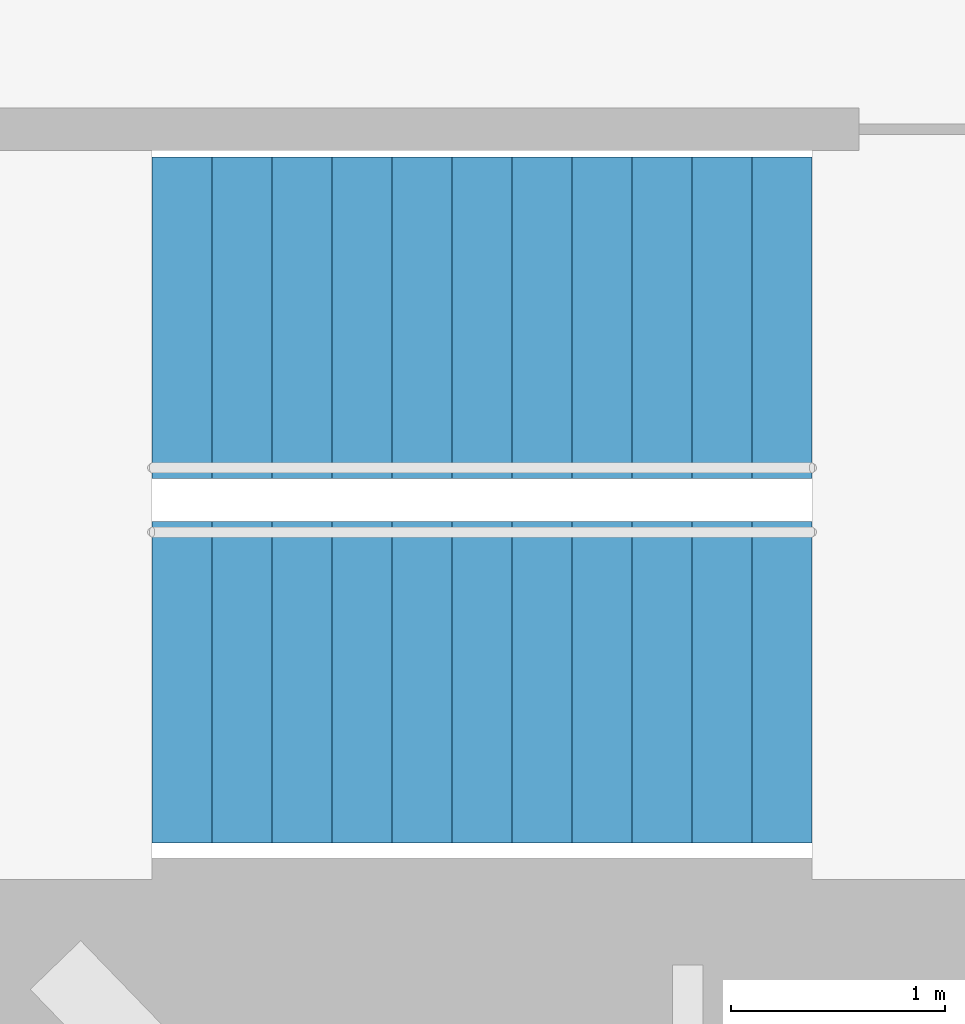
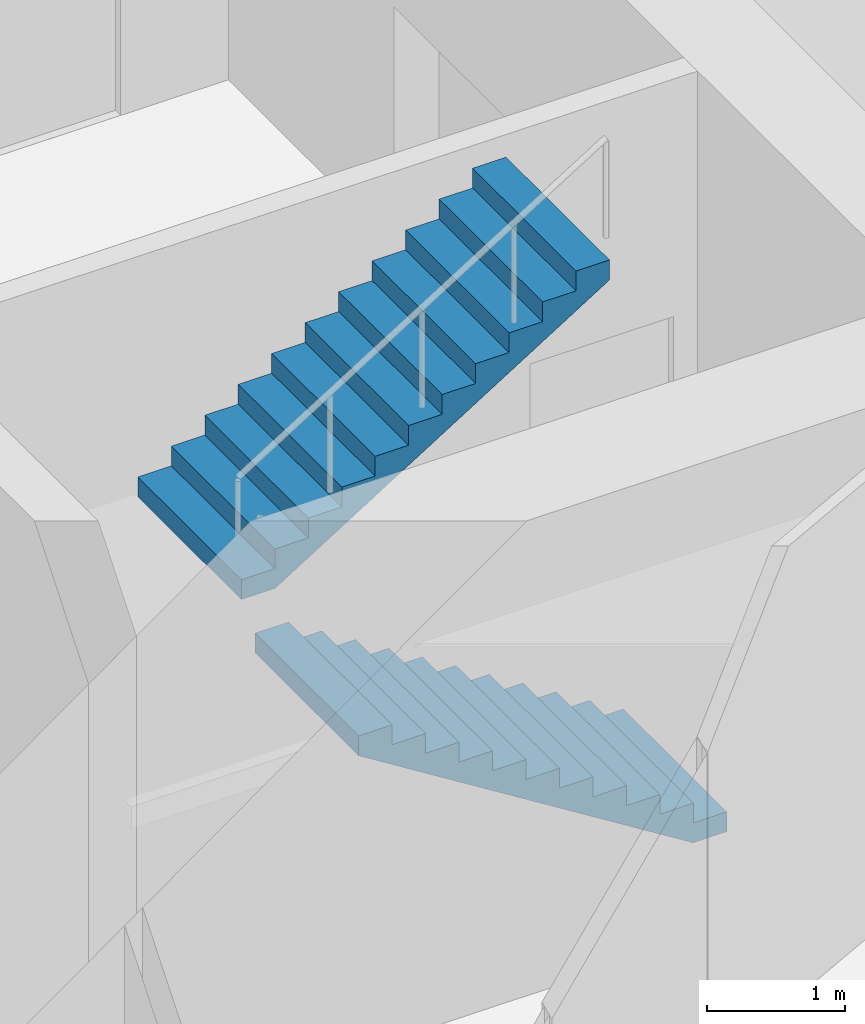
# One storey, part 16 of 17: 2 stair flights, 1 element without a shape of its own.
"""IFC4 building model written with IfcOpenShell, lengths in metres."""

from ifc_helpers import new_model, si_unit, direction, frame, origin, place, context, subcontext, project, spatial, triangles, material, type_object, element, aggregate, save


model = new_model("IFC4")

# Units and contexts
model_context = context("Model", 3, precision=1e-05, world=origin(), true_north=direction((0.0, 1.0)))
body_context = subcontext(model_context, "Body", "Model", "MODEL_VIEW")
ifc_project = project(units=[si_unit("LENGTHUNIT", "METRE"), si_unit("AREAUNIT", "SQUARE_METRE"), si_unit("VOLUMEUNIT", "CUBIC_METRE"), si_unit("PLANEANGLEUNIT", "RADIAN"), si_unit("MASSUNIT", "GRAM", prefix="KILO")], contexts=[model_context])

# Site, building, storey
site_placement = place(None, origin())
site = spatial("IfcSite", under=ifc_project, at=site_placement, CompositionType="ELEMENT")
building_placement = place(site_placement, origin())
building = spatial("IfcBuilding", under=site, at=building_placement, Name="Lantaw Convention Tower", CompositionType="ELEMENT")
storey_placement = place(building_placement, frame((0.0, 0.0, 211.60009765625)))
storey = spatial("IfcBuildingStorey", under=building, at=storey_placement, Name="L49", CompositionType="ELEMENT", Elevation=211.60009765625)

# Stair, stair flights
ifc_material = material(Name="Concrete C35/45", Category="concrete")
stair_type = type_object("IfcStairType", Name="Exit stair 1500 riser 175 in 2 flights", PredefinedType="HALF_TURN_STAIR", material=ifc_material)
stair_placement = place(storey_placement, origin())
stair = element("IfcStair", 1, at=stair_placement, inside=storey, type_object=stair_type, Name="Exit stair S2 L49", PredefinedType="HALF_TURN_STAIR")
stair_flight_type = type_object("IfcStairFlightType", Name="Stair flight 1500 riser 175", PredefinedType="STRAIGHT", material=ifc_material)
stair_flight_1_placement = place(storey_placement, frame((10.580078125, -5.97998046875, 0.0), z_axis=(0.0, 0.0, 1.0), x_axis=(-1.0, 0.0, 0.0)))
stair_flight_1 = element("IfcStairFlight", 2, at=stair_flight_1_placement, type_object=stair_flight_type, Name="S2 flight 1", NumberOfRisers=12, NumberOfTreads=11, PredefinedType="STRAIGHT", RiserHeight=0.175, TreadLength=0.28, context=body_context, shape_type="Tessellation", body=[
    triangles([(0.0, 0.75, 0.0), (0.0, 0.75, 0.175), (0.28, 0.75, 0.0), (0.28, 0.75, 0.175), (0.28, 0.75, 0.35), (0.28283517651771284, 0.75, 0.0), (0.28283517651771284, 0.75, 0.35), (0.56, 0.75, 0.17322801467642948), (0.56, 0.75, 0.35), (0.56, 0.75, 0.5249999999999999), (0.8400000000000001, 0.75, 0.34822801467642944), (0.8400000000000001, 0.75, 0.5249999999999999), (0.8400000000000001, 0.75, 0.7), (1.12, 0.75, 0.5232280146764294), (1.12, 0.75, 0.7), (1.12, 0.75, 0.875), (1.4000000000000001, 0.75, 0.6982280146764295), (1.4000000000000001, 0.75, 0.875), (1.4000000000000001, 0.75, 1.0499999999999998), (1.6800000000000002, 0.75, 0.8732280146764294), (1.6800000000000002, 0.75, 1.0499999999999998), (1.6800000000000002, 0.75, 1.2249999999999999), (1.9600000000000002, 0.75, 1.0482280146764293), (1.9600000000000002, 0.75, 1.2249999999999999), (1.9600000000000002, 0.75, 1.4), (2.24, 0.75, 1.2232280146764294), (2.24, 0.75, 1.4), (2.24, 0.75, 1.575), (2.5200000000000005, 0.75, 1.3982280146764294), (2.5200000000000005, 0.75, 1.575), (2.5200000000000005, 0.75, 1.75), (2.8000000000000003, 0.75, 1.5732280146764293), (2.8000000000000003, 0.75, 1.75), (2.8000000000000003, 0.75, 1.9249999999999998), (3.08, 0.75, 1.7482280146764293), (3.08, 0.75, 1.9249999999999998), (0.0, -0.75, 0.0), (0.0, -0.75, 0.175), (0.28, -0.75, 0.0), (0.28, -0.75, 0.175), (0.28, -0.75, 0.35), (0.28283517651771284, -0.75, 0.0), (0.28283517651771284, -0.75, 0.35), (0.56, -0.75, 0.17322801467642948), (0.56, -0.75, 0.35), (0.56, -0.75, 0.5249999999999999), (0.8400000000000001, -0.75, 0.34822801467642944), (0.8400000000000001, -0.75, 0.5249999999999999), (0.8400000000000001, -0.75, 0.7), (1.12, -0.75, 0.5232280146764294), (1.12, -0.75, 0.7), (1.12, -0.75, 0.875), (1.4000000000000001, -0.75, 0.6982280146764295), (1.4000000000000001, -0.75, 0.875), (1.4000000000000001, -0.75, 1.0499999999999998), (1.6800000000000002, -0.75, 0.8732280146764294), (1.6800000000000002, -0.75, 1.0499999999999998), (1.6800000000000002, -0.75, 1.2249999999999999), (1.9600000000000002, -0.75, 1.0482280146764293), (1.9600000000000002, -0.75, 1.2249999999999999), (1.9600000000000002, -0.75, 1.4), (2.24, -0.75, 1.2232280146764294), (2.24, -0.75, 1.4), (2.24, -0.75, 1.575), (2.5200000000000005, -0.75, 1.3982280146764294), (2.5200000000000005, -0.75, 1.575), (2.5200000000000005, -0.75, 1.75), (2.8000000000000003, -0.75, 1.5732280146764293), (2.8000000000000003, -0.75, 1.75), (2.8000000000000003, -0.75, 1.9249999999999998), (3.08, -0.75, 1.7482280146764293), (3.08, -0.75, 1.9249999999999998), (0.0, 0.15000000000000002, 0.175), (0.0, 0.15000000000000002, 0.0), (0.0, 0.0, 0.175), (0.0, 0.0, 0.0), (0.0, -0.15000000000000002, 0.175), (0.0, -0.15000000000000002, 0.0), (0.28, 0.15000000000000002, 0.35), (0.28, 0.15000000000000002, 0.175), (0.28, 0.0, 0.35), (0.28, 0.0, 0.175), (0.28, -0.15000000000000002, 0.35), (0.28, -0.15000000000000002, 0.175), (0.56, 0.15000000000000002, 0.5249999999999999), (0.56, 0.15000000000000002, 0.35), (0.56, 0.0, 0.5249999999999999), (0.56, 0.0, 0.35), (0.56, -0.15000000000000002, 0.5249999999999999), (0.56, -0.15000000000000002, 0.35), (0.8400000000000001, 0.15000000000000002, 0.7), (0.8400000000000001, 0.15000000000000002, 0.5249999999999999), (0.8400000000000001, 0.0, 0.7), (0.8400000000000001, 0.0, 0.5249999999999999), (0.8400000000000001, -0.15000000000000002, 0.7), (0.8400000000000001, -0.15000000000000002, 0.5249999999999999), (1.12, 0.15000000000000002, 0.875), (1.12, 0.15000000000000002, 0.7), (1.12, 0.0, 0.875), (1.12, 0.0, 0.7), (1.12, -0.15000000000000002, 0.875), (1.12, -0.15000000000000002, 0.7), (1.4000000000000001, 0.15000000000000002, 1.0499999999999998), (1.4000000000000001, 0.15000000000000002, 0.875), (1.4000000000000001, 0.0, 1.0499999999999998), (1.4000000000000001, 0.0, 0.875), (1.4000000000000001, -0.15000000000000002, 1.0499999999999998), (1.4000000000000001, -0.15000000000000002, 0.875), (1.6800000000000002, 0.15000000000000002, 1.2249999999999999), (1.6800000000000002, 0.15000000000000002, 1.0499999999999998), (1.6800000000000002, 0.0, 1.2249999999999999), (1.6800000000000002, 0.0, 1.0499999999999998), (1.6800000000000002, -0.15000000000000002, 1.2249999999999999), (1.6800000000000002, -0.15000000000000002, 1.0499999999999998), (1.9600000000000002, 0.15000000000000002, 1.4), (1.9600000000000002, 0.15000000000000002, 1.2249999999999999), (1.9600000000000002, 0.0, 1.4), (1.9600000000000002, 0.0, 1.2249999999999999), (1.9600000000000002, -0.15000000000000002, 1.4), (1.9600000000000002, -0.15000000000000002, 1.2249999999999999), (2.24, 0.15000000000000002, 1.575), (2.24, 0.15000000000000002, 1.4), (2.24, 0.0, 1.575), (2.24, 0.0, 1.4), (2.24, -0.15000000000000002, 1.575), (2.24, -0.15000000000000002, 1.4), (2.5200000000000005, 0.15000000000000002, 1.75), (2.5200000000000005, 0.15000000000000002, 1.575), (2.5200000000000005, 0.0, 1.75), (2.5200000000000005, 0.0, 1.575), (2.5200000000000005, -0.15000000000000002, 1.75), (2.5200000000000005, -0.15000000000000002, 1.575), (2.8000000000000003, 0.15000000000000002, 1.9249999999999998), (2.8000000000000003, 0.15000000000000002, 1.75), (2.8000000000000003, 0.0, 1.9249999999999998), (2.8000000000000003, 0.0, 1.75), (2.8000000000000003, -0.15000000000000002, 1.9249999999999998), (2.8000000000000003, -0.15000000000000002, 1.75), (0.28283517651771284, 0.15000000000000002, 0.35), (0.28283517651771284, 0.0, 0.35), (0.28283517651771284, -0.15000000000000002, 0.35), (3.08, 0.15000000000000002, 1.9249999999999998), (3.08, 0.0, 1.9249999999999998), (3.08, -0.15000000000000002, 1.9249999999999998), (3.08, 0.15000000000000002, 1.7482280146764293), (3.08, 0.0, 1.7482280146764293), (3.08, -0.15000000000000002, 1.7482280146764293), (2.8000000000000003, 0.15000000000000002, 1.5732280146764293), (2.8000000000000003, 0.0, 1.5732280146764293), (2.8000000000000003, -0.15000000000000002, 1.5732280146764293), (2.5200000000000005, 0.15000000000000002, 1.3982280146764294), (2.5200000000000005, 0.0, 1.3982280146764294), (2.5200000000000005, -0.15000000000000002, 1.3982280146764294), (2.24, 0.15000000000000002, 1.2232280146764294), (2.24, 0.0, 1.2232280146764294), (2.24, -0.15000000000000002, 1.2232280146764294), (1.9600000000000002, 0.15000000000000002, 1.0482280146764293), (1.9600000000000002, 0.0, 1.0482280146764293), (1.9600000000000002, -0.15000000000000002, 1.0482280146764293), (1.6800000000000002, 0.15000000000000002, 0.8732280146764294), (1.6800000000000002, 0.0, 0.8732280146764294), (1.6800000000000002, -0.15000000000000002, 0.8732280146764294), (1.4000000000000001, 0.15000000000000002, 0.6982280146764295), (1.4000000000000001, 0.0, 0.6982280146764295), (1.4000000000000001, -0.15000000000000002, 0.6982280146764295), (1.12, 0.15000000000000002, 0.5232280146764294), (1.12, 0.0, 0.5232280146764294), (1.12, -0.15000000000000002, 0.5232280146764294), (0.8400000000000001, 0.15000000000000002, 0.34822801467642944), (0.8400000000000001, 0.0, 0.34822801467642944), (0.8400000000000001, -0.15000000000000002, 0.34822801467642944), (0.56, 0.15000000000000002, 0.17322801467642948), (0.56, 0.0, 0.17322801467642948), (0.56, -0.15000000000000002, 0.17322801467642948), (0.28283517651771284, 0.15000000000000002, 0.0), (0.28283517651771284, 0.0, 0.0), (0.28283517651771284, -0.15000000000000002, 0.0), (0.28, 0.15000000000000002, 0.0), (0.28, 0.0, 0.0), (0.28, -0.15000000000000002, 0.0)], [[1, 4, 3], [1, 2, 4], [3, 4, 6], [4, 7, 6], [4, 5, 7], [6, 9, 8], [6, 7, 9], [8, 9, 11], [9, 12, 11], [9, 10, 12], [11, 12, 14], [12, 15, 14], [12, 13, 15], [14, 15, 17], [15, 18, 17], [15, 16, 18], [17, 18, 20], [18, 21, 20], [18, 19, 21], [20, 21, 23], [21, 24, 23], [21, 22, 24], [23, 24, 26], [24, 27, 26], [24, 25, 27], [26, 27, 29], [27, 30, 29], [27, 28, 30], [29, 30, 32], [30, 33, 32], [30, 31, 33], [32, 33, 35], [33, 36, 35], [33, 34, 36], [37, 39, 40], [37, 40, 38], [39, 42, 40], [40, 42, 43], [40, 43, 41], [42, 44, 45], [42, 45, 43], [44, 47, 45], [45, 47, 48], [45, 48, 46], [47, 50, 48], [48, 50, 51], [48, 51, 49], [50, 53, 51], [51, 53, 54], [51, 54, 52], [53, 56, 54], [54, 56, 57], [54, 57, 55], [56, 59, 57], [57, 59, 60], [57, 60, 58], [59, 62, 60], [60, 62, 63], [60, 63, 61], [62, 65, 63], [63, 65, 66], [63, 66, 64], [65, 68, 66], [66, 68, 69], [66, 69, 67], [68, 71, 69], [69, 71, 72], [69, 72, 70], [1, 73, 2], [1, 74, 73], [74, 75, 73], [74, 76, 75], [76, 77, 75], [76, 78, 77], [78, 38, 77], [78, 37, 38], [4, 79, 5], [4, 80, 79], [80, 81, 79], [80, 82, 81], [82, 83, 81], [82, 84, 83], [84, 41, 83], [84, 40, 41], [9, 85, 10], [9, 86, 85], [86, 87, 85], [86, 88, 87], [88, 89, 87], [88, 90, 89], [90, 46, 89], [90, 45, 46], [12, 91, 13], [12, 92, 91], [92, 93, 91], [92, 94, 93], [94, 95, 93], [94, 96, 95], [96, 49, 95], [96, 48, 49], [15, 97, 16], [15, 98, 97], [98, 99, 97], [98, 100, 99], [100, 101, 99], [100, 102, 101], [102, 52, 101], [102, 51, 52], [18, 103, 19], [18, 104, 103], [104, 105, 103], [104, 106, 105], [106, 107, 105], [106, 108, 107], [108, 55, 107], [108, 54, 55], [21, 109, 22], [21, 110, 109], [110, 111, 109], [110, 112, 111], [112, 113, 111], [112, 114, 113], [114, 58, 113], [114, 57, 58], [24, 115, 25], [24, 116, 115], [116, 117, 115], [116, 118, 117], [118, 119, 117], [118, 120, 119], [120, 61, 119], [120, 60, 61], [27, 121, 28], [27, 122, 121], [122, 123, 121], [122, 124, 123], [124, 125, 123], [124, 126, 125], [126, 64, 125], [126, 63, 64], [30, 127, 31], [30, 128, 127], [128, 129, 127], [128, 130, 129], [130, 131, 129], [130, 132, 131], [132, 67, 131], [132, 66, 67], [33, 133, 34], [33, 134, 133], [134, 135, 133], [134, 136, 135], [136, 137, 135], [136, 138, 137], [138, 70, 137], [138, 69, 70], [2, 80, 4], [2, 73, 80], [73, 82, 80], [73, 75, 82], [75, 84, 82], [75, 77, 84], [77, 40, 84], [77, 38, 40], [5, 139, 7], [5, 79, 139], [79, 140, 139], [79, 81, 140], [81, 141, 140], [81, 83, 141], [83, 43, 141], [83, 41, 43], [7, 86, 9], [7, 139, 86], [139, 88, 86], [139, 140, 88], [140, 90, 88], [140, 141, 90], [141, 45, 90], [141, 43, 45], [10, 92, 12], [10, 85, 92], [85, 94, 92], [85, 87, 94], [87, 96, 94], [87, 89, 96], [89, 48, 96], [89, 46, 48], [13, 98, 15], [13, 91, 98], [91, 100, 98], [91, 93, 100], [93, 102, 100], [93, 95, 102], [95, 51, 102], [95, 49, 51], [16, 104, 18], [16, 97, 104], [97, 106, 104], [97, 99, 106], [99, 108, 106], [99, 101, 108], [101, 54, 108], [101, 52, 54], [19, 110, 21], [19, 103, 110], [103, 112, 110], [103, 105, 112], [105, 114, 112], [105, 107, 114], [107, 57, 114], [107, 55, 57], [22, 116, 24], [22, 109, 116], [109, 118, 116], [109, 111, 118], [111, 120, 118], [111, 113, 120], [113, 60, 120], [113, 58, 60], [25, 122, 27], [25, 115, 122], [115, 124, 122], [115, 117, 124], [117, 126, 124], [117, 119, 126], [119, 63, 126], [119, 61, 63], [28, 128, 30], [28, 121, 128], [121, 130, 128], [121, 123, 130], [123, 132, 130], [123, 125, 132], [125, 66, 132], [125, 64, 66], [31, 134, 33], [31, 127, 134], [127, 136, 134], [127, 129, 136], [129, 138, 136], [129, 131, 138], [131, 69, 138], [131, 67, 69], [34, 142, 36], [34, 133, 142], [133, 143, 142], [133, 135, 143], [135, 144, 143], [135, 137, 144], [137, 72, 144], [137, 70, 72], [36, 145, 35], [36, 142, 145], [142, 146, 145], [142, 143, 146], [143, 147, 146], [143, 144, 147], [144, 71, 147], [144, 72, 71], [35, 148, 32], [35, 145, 148], [145, 149, 148], [145, 146, 149], [146, 150, 149], [146, 147, 150], [147, 68, 150], [147, 71, 68], [32, 151, 29], [32, 148, 151], [148, 152, 151], [148, 149, 152], [149, 153, 152], [149, 150, 153], [150, 65, 153], [150, 68, 65], [29, 154, 26], [29, 151, 154], [151, 155, 154], [151, 152, 155], [152, 156, 155], [152, 153, 156], [153, 62, 156], [153, 65, 62], [26, 157, 23], [26, 154, 157], [154, 158, 157], [154, 155, 158], [155, 159, 158], [155, 156, 159], [156, 59, 159], [156, 62, 59], [23, 160, 20], [23, 157, 160], [157, 161, 160], [157, 158, 161], [158, 162, 161], [158, 159, 162], [159, 56, 162], [159, 59, 56], [20, 163, 17], [20, 160, 163], [160, 164, 163], [160, 161, 164], [161, 165, 164], [161, 162, 165], [162, 53, 165], [162, 56, 53], [17, 166, 14], [17, 163, 166], [163, 167, 166], [163, 164, 167], [164, 168, 167], [164, 165, 168], [165, 50, 168], [165, 53, 50], [14, 169, 11], [14, 166, 169], [166, 170, 169], [166, 167, 170], [167, 171, 170], [167, 168, 171], [168, 47, 171], [168, 50, 47], [11, 172, 8], [11, 169, 172], [169, 173, 172], [169, 170, 173], [170, 174, 173], [170, 171, 174], [171, 44, 174], [171, 47, 44], [8, 175, 6], [8, 172, 175], [172, 176, 175], [172, 173, 176], [173, 177, 176], [173, 174, 177], [174, 42, 177], [174, 44, 42], [6, 178, 3], [6, 175, 178], [175, 179, 178], [175, 176, 179], [176, 180, 179], [176, 177, 180], [177, 39, 180], [177, 42, 39], [3, 74, 1], [3, 178, 74], [178, 76, 74], [178, 179, 76], [179, 78, 76], [179, 180, 78], [180, 37, 78], [180, 39, 37]], closed=True),
])
stair_flight_2_placement = place(storey_placement, frame((7.5, -4.280029296875, 2.099853515625), z_axis=(0.0, 0.0, 1.0), x_axis=(1.0, 0.0, 0.0)))
stair_flight_2 = element("IfcStairFlight", 3, at=stair_flight_2_placement, type_object=stair_flight_type, Name="S2 flight 2", NumberOfRisers=12, NumberOfTreads=11, PredefinedType="STRAIGHT", RiserHeight=0.175, TreadLength=0.28, context=body_context, shape_type="Tessellation", body=[
    triangles([(0.0, 0.75, 0.0), (0.0, 0.75, 0.175), (0.28, 0.75, 0.0), (0.28, 0.75, 0.175), (0.28, 0.75, 0.35), (0.28283517651771284, 0.75, 0.0), (0.28283517651771284, 0.75, 0.35), (0.56, 0.75, 0.17322801467642948), (0.56, 0.75, 0.35), (0.56, 0.75, 0.5249999999999999), (0.8400000000000001, 0.75, 0.34822801467642944), (0.8400000000000001, 0.75, 0.5249999999999999), (0.8400000000000001, 0.75, 0.7), (1.12, 0.75, 0.5232280146764294), (1.12, 0.75, 0.7), (1.12, 0.75, 0.875), (1.4000000000000001, 0.75, 0.6982280146764295), (1.4000000000000001, 0.75, 0.875), (1.4000000000000001, 0.75, 1.0499999999999998), (1.6800000000000002, 0.75, 0.8732280146764294), (1.6800000000000002, 0.75, 1.0499999999999998), (1.6800000000000002, 0.75, 1.2249999999999999), (1.9600000000000002, 0.75, 1.0482280146764293), (1.9600000000000002, 0.75, 1.2249999999999999), (1.9600000000000002, 0.75, 1.4), (2.24, 0.75, 1.2232280146764294), (2.24, 0.75, 1.4), (2.24, 0.75, 1.575), (2.5200000000000005, 0.75, 1.3982280146764294), (2.5200000000000005, 0.75, 1.575), (2.5200000000000005, 0.75, 1.75), (2.8000000000000003, 0.75, 1.5732280146764293), (2.8000000000000003, 0.75, 1.75), (2.8000000000000003, 0.75, 1.9249999999999998), (3.08, 0.75, 1.7482280146764293), (3.08, 0.75, 1.9249999999999998), (0.0, -0.75, 0.0), (0.0, -0.75, 0.175), (0.28, -0.75, 0.0), (0.28, -0.75, 0.175), (0.28, -0.75, 0.35), (0.28283517651771284, -0.75, 0.0), (0.28283517651771284, -0.75, 0.35), (0.56, -0.75, 0.17322801467642948), (0.56, -0.75, 0.35), (0.56, -0.75, 0.5249999999999999), (0.8400000000000001, -0.75, 0.34822801467642944), (0.8400000000000001, -0.75, 0.5249999999999999), (0.8400000000000001, -0.75, 0.7), (1.12, -0.75, 0.5232280146764294), (1.12, -0.75, 0.7), (1.12, -0.75, 0.875), (1.4000000000000001, -0.75, 0.6982280146764295), (1.4000000000000001, -0.75, 0.875), (1.4000000000000001, -0.75, 1.0499999999999998), (1.6800000000000002, -0.75, 0.8732280146764294), (1.6800000000000002, -0.75, 1.0499999999999998), (1.6800000000000002, -0.75, 1.2249999999999999), (1.9600000000000002, -0.75, 1.0482280146764293), (1.9600000000000002, -0.75, 1.2249999999999999), (1.9600000000000002, -0.75, 1.4), (2.24, -0.75, 1.2232280146764294), (2.24, -0.75, 1.4), (2.24, -0.75, 1.575), (2.5200000000000005, -0.75, 1.3982280146764294), (2.5200000000000005, -0.75, 1.575), (2.5200000000000005, -0.75, 1.75), (2.8000000000000003, -0.75, 1.5732280146764293), (2.8000000000000003, -0.75, 1.75), (2.8000000000000003, -0.75, 1.9249999999999998), (3.08, -0.75, 1.7482280146764293), (3.08, -0.75, 1.9249999999999998), (0.0, 0.15000000000000002, 0.175), (0.0, 0.15000000000000002, 0.0), (0.0, 0.0, 0.175), (0.0, 0.0, 0.0), (0.0, -0.15000000000000002, 0.175), (0.0, -0.15000000000000002, 0.0), (0.28, 0.15000000000000002, 0.35), (0.28, 0.15000000000000002, 0.175), (0.28, 0.0, 0.35), (0.28, 0.0, 0.175), (0.28, -0.15000000000000002, 0.35), (0.28, -0.15000000000000002, 0.175), (0.56, 0.15000000000000002, 0.5249999999999999), (0.56, 0.15000000000000002, 0.35), (0.56, 0.0, 0.5249999999999999), (0.56, 0.0, 0.35), (0.56, -0.15000000000000002, 0.5249999999999999), (0.56, -0.15000000000000002, 0.35), (0.8400000000000001, 0.15000000000000002, 0.7), (0.8400000000000001, 0.15000000000000002, 0.5249999999999999), (0.8400000000000001, 0.0, 0.7), (0.8400000000000001, 0.0, 0.5249999999999999), (0.8400000000000001, -0.15000000000000002, 0.7), (0.8400000000000001, -0.15000000000000002, 0.5249999999999999), (1.12, 0.15000000000000002, 0.875), (1.12, 0.15000000000000002, 0.7), (1.12, 0.0, 0.875), (1.12, 0.0, 0.7), (1.12, -0.15000000000000002, 0.875), (1.12, -0.15000000000000002, 0.7), (1.4000000000000001, 0.15000000000000002, 1.0499999999999998), (1.4000000000000001, 0.15000000000000002, 0.875), (1.4000000000000001, 0.0, 1.0499999999999998), (1.4000000000000001, 0.0, 0.875), (1.4000000000000001, -0.15000000000000002, 1.0499999999999998), (1.4000000000000001, -0.15000000000000002, 0.875), (1.6800000000000002, 0.15000000000000002, 1.2249999999999999), (1.6800000000000002, 0.15000000000000002, 1.0499999999999998), (1.6800000000000002, 0.0, 1.2249999999999999), (1.6800000000000002, 0.0, 1.0499999999999998), (1.6800000000000002, -0.15000000000000002, 1.2249999999999999), (1.6800000000000002, -0.15000000000000002, 1.0499999999999998), (1.9600000000000002, 0.15000000000000002, 1.4), (1.9600000000000002, 0.15000000000000002, 1.2249999999999999), (1.9600000000000002, 0.0, 1.4), (1.9600000000000002, 0.0, 1.2249999999999999), (1.9600000000000002, -0.15000000000000002, 1.4), (1.9600000000000002, -0.15000000000000002, 1.2249999999999999), (2.24, 0.15000000000000002, 1.575), (2.24, 0.15000000000000002, 1.4), (2.24, 0.0, 1.575), (2.24, 0.0, 1.4), (2.24, -0.15000000000000002, 1.575), (2.24, -0.15000000000000002, 1.4), (2.5200000000000005, 0.15000000000000002, 1.75), (2.5200000000000005, 0.15000000000000002, 1.575), (2.5200000000000005, 0.0, 1.75), (2.5200000000000005, 0.0, 1.575), (2.5200000000000005, -0.15000000000000002, 1.75), (2.5200000000000005, -0.15000000000000002, 1.575), (2.8000000000000003, 0.15000000000000002, 1.9249999999999998), (2.8000000000000003, 0.15000000000000002, 1.75), (2.8000000000000003, 0.0, 1.9249999999999998), (2.8000000000000003, 0.0, 1.75), (2.8000000000000003, -0.15000000000000002, 1.9249999999999998), (2.8000000000000003, -0.15000000000000002, 1.75), (0.28283517651771284, 0.15000000000000002, 0.35), (0.28283517651771284, 0.0, 0.35), (0.28283517651771284, -0.15000000000000002, 0.35), (3.08, 0.15000000000000002, 1.9249999999999998), (3.08, 0.0, 1.9249999999999998), (3.08, -0.15000000000000002, 1.9249999999999998), (3.08, 0.15000000000000002, 1.7482280146764293), (3.08, 0.0, 1.7482280146764293), (3.08, -0.15000000000000002, 1.7482280146764293), (2.8000000000000003, 0.15000000000000002, 1.5732280146764293), (2.8000000000000003, 0.0, 1.5732280146764293), (2.8000000000000003, -0.15000000000000002, 1.5732280146764293), (2.5200000000000005, 0.15000000000000002, 1.3982280146764294), (2.5200000000000005, 0.0, 1.3982280146764294), (2.5200000000000005, -0.15000000000000002, 1.3982280146764294), (2.24, 0.15000000000000002, 1.2232280146764294), (2.24, 0.0, 1.2232280146764294), (2.24, -0.15000000000000002, 1.2232280146764294), (1.9600000000000002, 0.15000000000000002, 1.0482280146764293), (1.9600000000000002, 0.0, 1.0482280146764293), (1.9600000000000002, -0.15000000000000002, 1.0482280146764293), (1.6800000000000002, 0.15000000000000002, 0.8732280146764294), (1.6800000000000002, 0.0, 0.8732280146764294), (1.6800000000000002, -0.15000000000000002, 0.8732280146764294), (1.4000000000000001, 0.15000000000000002, 0.6982280146764295), (1.4000000000000001, 0.0, 0.6982280146764295), (1.4000000000000001, -0.15000000000000002, 0.6982280146764295), (1.12, 0.15000000000000002, 0.5232280146764294), (1.12, 0.0, 0.5232280146764294), (1.12, -0.15000000000000002, 0.5232280146764294), (0.8400000000000001, 0.15000000000000002, 0.34822801467642944), (0.8400000000000001, 0.0, 0.34822801467642944), (0.8400000000000001, -0.15000000000000002, 0.34822801467642944), (0.56, 0.15000000000000002, 0.17322801467642948), (0.56, 0.0, 0.17322801467642948), (0.56, -0.15000000000000002, 0.17322801467642948), (0.28283517651771284, 0.15000000000000002, 0.0), (0.28283517651771284, 0.0, 0.0), (0.28283517651771284, -0.15000000000000002, 0.0), (0.28, 0.15000000000000002, 0.0), (0.28, 0.0, 0.0), (0.28, -0.15000000000000002, 0.0)], [[1, 4, 3], [1, 2, 4], [3, 4, 6], [4, 7, 6], [4, 5, 7], [6, 9, 8], [6, 7, 9], [8, 9, 11], [9, 12, 11], [9, 10, 12], [11, 12, 14], [12, 15, 14], [12, 13, 15], [14, 15, 17], [15, 18, 17], [15, 16, 18], [17, 18, 20], [18, 21, 20], [18, 19, 21], [20, 21, 23], [21, 24, 23], [21, 22, 24], [23, 24, 26], [24, 27, 26], [24, 25, 27], [26, 27, 29], [27, 30, 29], [27, 28, 30], [29, 30, 32], [30, 33, 32], [30, 31, 33], [32, 33, 35], [33, 36, 35], [33, 34, 36], [37, 39, 40], [37, 40, 38], [39, 42, 40], [40, 42, 43], [40, 43, 41], [42, 44, 45], [42, 45, 43], [44, 47, 45], [45, 47, 48], [45, 48, 46], [47, 50, 48], [48, 50, 51], [48, 51, 49], [50, 53, 51], [51, 53, 54], [51, 54, 52], [53, 56, 54], [54, 56, 57], [54, 57, 55], [56, 59, 57], [57, 59, 60], [57, 60, 58], [59, 62, 60], [60, 62, 63], [60, 63, 61], [62, 65, 63], [63, 65, 66], [63, 66, 64], [65, 68, 66], [66, 68, 69], [66, 69, 67], [68, 71, 69], [69, 71, 72], [69, 72, 70], [1, 73, 2], [1, 74, 73], [74, 75, 73], [74, 76, 75], [76, 77, 75], [76, 78, 77], [78, 38, 77], [78, 37, 38], [4, 79, 5], [4, 80, 79], [80, 81, 79], [80, 82, 81], [82, 83, 81], [82, 84, 83], [84, 41, 83], [84, 40, 41], [9, 85, 10], [9, 86, 85], [86, 87, 85], [86, 88, 87], [88, 89, 87], [88, 90, 89], [90, 46, 89], [90, 45, 46], [12, 91, 13], [12, 92, 91], [92, 93, 91], [92, 94, 93], [94, 95, 93], [94, 96, 95], [96, 49, 95], [96, 48, 49], [15, 97, 16], [15, 98, 97], [98, 99, 97], [98, 100, 99], [100, 101, 99], [100, 102, 101], [102, 52, 101], [102, 51, 52], [18, 103, 19], [18, 104, 103], [104, 105, 103], [104, 106, 105], [106, 107, 105], [106, 108, 107], [108, 55, 107], [108, 54, 55], [21, 109, 22], [21, 110, 109], [110, 111, 109], [110, 112, 111], [112, 113, 111], [112, 114, 113], [114, 58, 113], [114, 57, 58], [24, 115, 25], [24, 116, 115], [116, 117, 115], [116, 118, 117], [118, 119, 117], [118, 120, 119], [120, 61, 119], [120, 60, 61], [27, 121, 28], [27, 122, 121], [122, 123, 121], [122, 124, 123], [124, 125, 123], [124, 126, 125], [126, 64, 125], [126, 63, 64], [30, 127, 31], [30, 128, 127], [128, 129, 127], [128, 130, 129], [130, 131, 129], [130, 132, 131], [132, 67, 131], [132, 66, 67], [33, 133, 34], [33, 134, 133], [134, 135, 133], [134, 136, 135], [136, 137, 135], [136, 138, 137], [138, 70, 137], [138, 69, 70], [2, 80, 4], [2, 73, 80], [73, 82, 80], [73, 75, 82], [75, 84, 82], [75, 77, 84], [77, 40, 84], [77, 38, 40], [5, 139, 7], [5, 79, 139], [79, 140, 139], [79, 81, 140], [81, 141, 140], [81, 83, 141], [83, 43, 141], [83, 41, 43], [7, 86, 9], [7, 139, 86], [139, 88, 86], [139, 140, 88], [140, 90, 88], [140, 141, 90], [141, 45, 90], [141, 43, 45], [10, 92, 12], [10, 85, 92], [85, 94, 92], [85, 87, 94], [87, 96, 94], [87, 89, 96], [89, 48, 96], [89, 46, 48], [13, 98, 15], [13, 91, 98], [91, 100, 98], [91, 93, 100], [93, 102, 100], [93, 95, 102], [95, 51, 102], [95, 49, 51], [16, 104, 18], [16, 97, 104], [97, 106, 104], [97, 99, 106], [99, 108, 106], [99, 101, 108], [101, 54, 108], [101, 52, 54], [19, 110, 21], [19, 103, 110], [103, 112, 110], [103, 105, 112], [105, 114, 112], [105, 107, 114], [107, 57, 114], [107, 55, 57], [22, 116, 24], [22, 109, 116], [109, 118, 116], [109, 111, 118], [111, 120, 118], [111, 113, 120], [113, 60, 120], [113, 58, 60], [25, 122, 27], [25, 115, 122], [115, 124, 122], [115, 117, 124], [117, 126, 124], [117, 119, 126], [119, 63, 126], [119, 61, 63], [28, 128, 30], [28, 121, 128], [121, 130, 128], [121, 123, 130], [123, 132, 130], [123, 125, 132], [125, 66, 132], [125, 64, 66], [31, 134, 33], [31, 127, 134], [127, 136, 134], [127, 129, 136], [129, 138, 136], [129, 131, 138], [131, 69, 138], [131, 67, 69], [34, 142, 36], [34, 133, 142], [133, 143, 142], [133, 135, 143], [135, 144, 143], [135, 137, 144], [137, 72, 144], [137, 70, 72], [36, 145, 35], [36, 142, 145], [142, 146, 145], [142, 143, 146], [143, 147, 146], [143, 144, 147], [144, 71, 147], [144, 72, 71], [35, 148, 32], [35, 145, 148], [145, 149, 148], [145, 146, 149], [146, 150, 149], [146, 147, 150], [147, 68, 150], [147, 71, 68], [32, 151, 29], [32, 148, 151], [148, 152, 151], [148, 149, 152], [149, 153, 152], [149, 150, 153], [150, 65, 153], [150, 68, 65], [29, 154, 26], [29, 151, 154], [151, 155, 154], [151, 152, 155], [152, 156, 155], [152, 153, 156], [153, 62, 156], [153, 65, 62], [26, 157, 23], [26, 154, 157], [154, 158, 157], [154, 155, 158], [155, 159, 158], [155, 156, 159], [156, 59, 159], [156, 62, 59], [23, 160, 20], [23, 157, 160], [157, 161, 160], [157, 158, 161], [158, 162, 161], [158, 159, 162], [159, 56, 162], [159, 59, 56], [20, 163, 17], [20, 160, 163], [160, 164, 163], [160, 161, 164], [161, 165, 164], [161, 162, 165], [162, 53, 165], [162, 56, 53], [17, 166, 14], [17, 163, 166], [163, 167, 166], [163, 164, 167], [164, 168, 167], [164, 165, 168], [165, 50, 168], [165, 53, 50], [14, 169, 11], [14, 166, 169], [166, 170, 169], [166, 167, 170], [167, 171, 170], [167, 168, 171], [168, 47, 171], [168, 50, 47], [11, 172, 8], [11, 169, 172], [169, 173, 172], [169, 170, 173], [170, 174, 173], [170, 171, 174], [171, 44, 174], [171, 47, 44], [8, 175, 6], [8, 172, 175], [172, 176, 175], [172, 173, 176], [173, 177, 176], [173, 174, 177], [174, 42, 177], [174, 44, 42], [6, 178, 3], [6, 175, 178], [175, 179, 178], [175, 176, 179], [176, 180, 179], [176, 177, 180], [177, 39, 180], [177, 42, 39], [3, 74, 1], [3, 178, 74], [178, 76, 74], [178, 179, 76], [179, 78, 76], [179, 180, 78], [180, 37, 78], [180, 39, 37]], closed=True),
])
aggregate(stair, [stair_flight_1, stair_flight_2])

save(model, "model.ifc")
